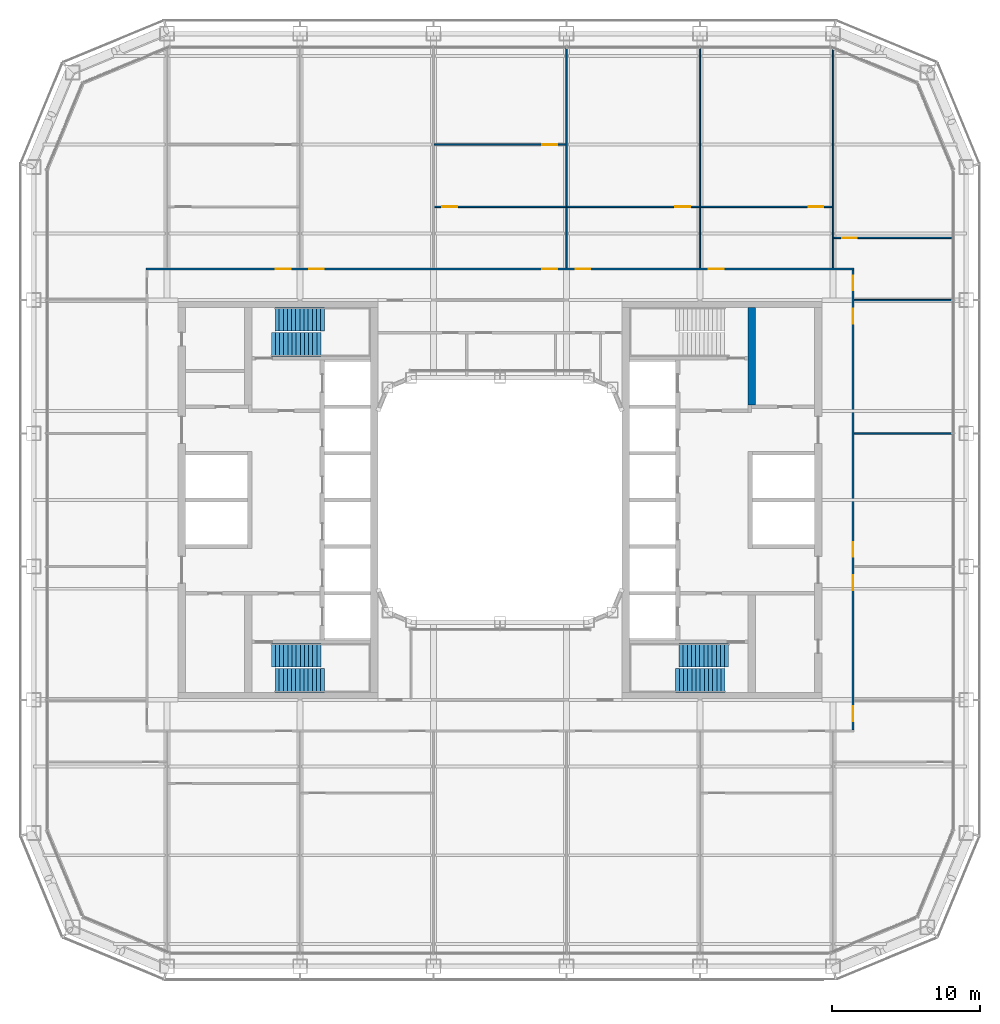
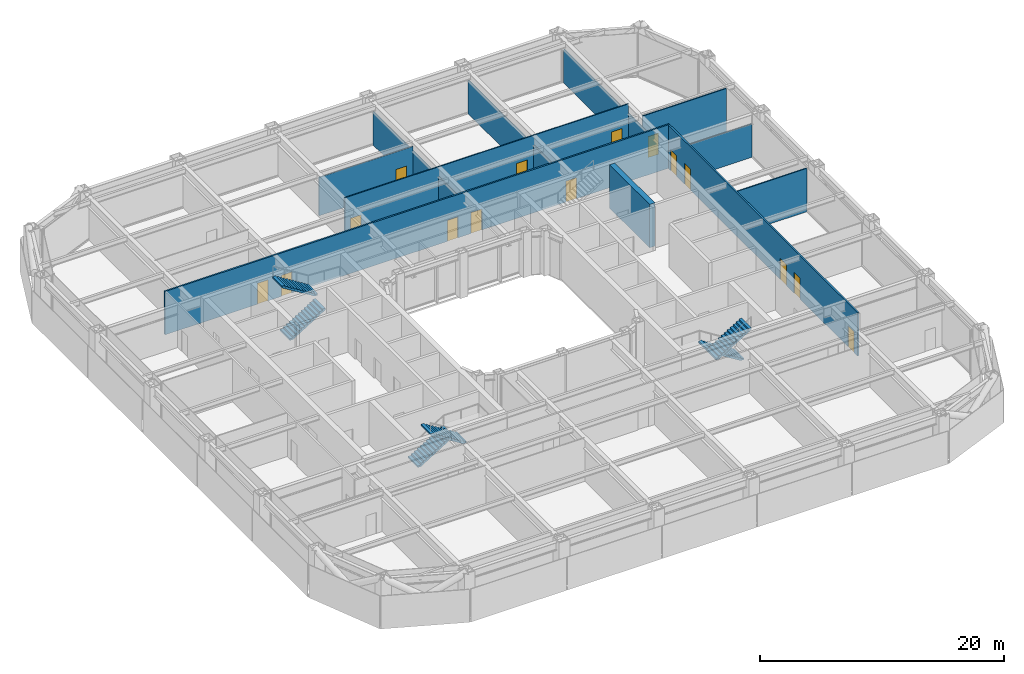
# One storey, part 15 of 25: 15 doors, 13 walls, 6 stair flights, 15 openings, 3 elements without a shape of their own.
"""IFC4 building model written with IfcOpenShell, lengths in metres."""

from ifc_helpers import new_model, si_unit, direction, frame, frame_2d, origin, place, context, subcontext, project, spatial, polyline, rectangle, outline, extrude, material, layer, layer_set, type_object, element, fill, aggregate, save


model = new_model("IFC4")

# Units and contexts
model_context = context("Model", 3, precision=1e-05, world=origin(), true_north=direction((0.0, 1.0)))
body_context = subcontext(model_context, "Body", "Model", "MODEL_VIEW")
ifc_project = project(units=[si_unit("LENGTHUNIT", "METRE"), si_unit("AREAUNIT", "SQUARE_METRE"), si_unit("VOLUMEUNIT", "CUBIC_METRE"), si_unit("PLANEANGLEUNIT", "RADIAN"), si_unit("MASSUNIT", "GRAM", prefix="KILO")], contexts=[model_context])

# Site, building, storey
site_placement = place(None, origin())
site = spatial("IfcSite", under=ifc_project, at=site_placement, CompositionType="ELEMENT")
building_placement = place(site_placement, origin())
building = spatial("IfcBuilding", under=site, at=building_placement, Name="Siwar Civic Tower", CompositionType="ELEMENT")
storey_placement = place(building_placement, frame((0.0, 0.0, 58.199951171875)))
storey = spatial("IfcBuildingStorey", under=building, at=storey_placement, Name="L12", CompositionType="ELEMENT", Elevation=58.199951171875)

# Wall
ifc_material_1 = material(Name="Concrete C60/75", Category="concrete")
ifc_layer_1 = layer(ifc_material_1, 0.5)
ifc_layer_set_1 = layer_set([ifc_layer_1], Name="Concrete C60/75")
wall_type_1 = type_object("IfcWallType", Name="CORE-WALL-RC500", PredefinedType="SHEAR", material=ifc_layer_set_1)
wall_1_placement = place(storey_placement, frame((17.0, 6.425048828125, 0.0), z_axis=(0.0, 0.0, 1.0), x_axis=(0.0, 1.0, 0.0)))
element("IfcWall", 1, at=wall_1_placement, inside=storey, type_object=wall_type_1, Name="Core wall E", PredefinedType="SHEAR", context=body_context, shape_type="SweptSolid", body=[
    extrude(rectangle(XDim=6.574951171875, YDim=0.5, at=frame_2d((3.28759765625, 0.0))), origin(), (0.0, 0.0, 1.0), 4.35009765625),
])

# Wall, openings, doors
ifc_material_2 = material(Name="Gypsum board on steel studs", Category="steel")
ifc_layer_2 = layer(ifc_material_2, 0.14990234375)
ifc_layer_set_2 = layer_set([ifc_layer_2], Name="Gypsum board on steel studs")
wall_type_2 = type_object("IfcWallType", Name="CORRIDOR PARTITION 150 EI 30", PredefinedType="PARTITIONING", material=ifc_layer_set_2)
wall_2_placement = place(storey_placement, frame((-23.925048828125, 15.60009765625, 0.0), z_axis=(0.0, 0.0, 1.0), x_axis=(1.0, 0.0, 0.0)))
wall_2 = element("IfcWall", 2, at=wall_2_placement, inside=storey, type_object=wall_type_2, Name="L12/wall/P19", PredefinedType="PARTITIONING", context=body_context, shape_type="SweptSolid", body=[
    extrude(rectangle(XDim=47.85009765625, YDim=0.14990234375, at=frame_2d((23.925048828125, 0.0))), origin(), (0.0, 0.0, 1.0), 4.35009765625),
])
opening_1_placement = place(wall_2_placement, frame((8.77490234375, 0.0, 0.0)))
opening_1 = element("IfcOpeningElement", 3, at=opening_1_placement, cuts=wall_2, Name="Opening D1", PredefinedType="OPENING", context=body_context, shape_type="SweptSolid", body=[
    extrude(rectangle(XDim=1.0, YDim=2.10009765625, at=frame_2d((0.5, 1.050048828125))), frame((0.0, 0.0849609375, 0.0), z_axis=(0.0, -1.0, 0.0), x_axis=(1.0, 0.0, 0.0)), (0.0, 0.0, 1.0), 0.169921875),
])
opening_2_placement = place(wall_2_placement, frame((11.02490234375, 0.0, 0.0)))
opening_2 = element("IfcOpeningElement", 4, at=opening_2_placement, cuts=wall_2, Name="Opening D1", PredefinedType="OPENING", context=body_context, shape_type="SweptSolid", body=[
    extrude(rectangle(XDim=1.0, YDim=2.10009765625, at=frame_2d((0.5, 1.050048828125))), frame((0.0, 0.0849609375, 0.0), z_axis=(0.0, -1.0, 0.0), x_axis=(1.0, 0.0, 0.0)), (0.0, 0.0, 1.0), 0.169921875),
])
opening_3_placement = place(wall_2_placement, frame((26.77490234375, 0.0, 0.0)))
opening_3 = element("IfcOpeningElement", 5, at=opening_3_placement, cuts=wall_2, Name="Opening D1", PredefinedType="OPENING", context=body_context, shape_type="SweptSolid", body=[
    extrude(rectangle(XDim=1.0, YDim=2.10009765625, at=frame_2d((0.5, 1.050048828125))), frame((0.0, 0.0849609375, 0.0), z_axis=(0.0, -1.0, 0.0), x_axis=(1.0, 0.0, 0.0)), (0.0, 0.0, 1.0), 0.169921875),
])
opening_4_placement = place(wall_2_placement, frame((29.02490234375, 0.0, 0.0)))
opening_4 = element("IfcOpeningElement", 6, at=opening_4_placement, cuts=wall_2, Name="Opening D1", PredefinedType="OPENING", context=body_context, shape_type="SweptSolid", body=[
    extrude(rectangle(XDim=1.0, YDim=2.10009765625, at=frame_2d((0.5, 1.050048828125))), frame((0.0, 0.0849609375, 0.0), z_axis=(0.0, -1.0, 0.0), x_axis=(1.0, 0.0, 0.0)), (0.0, 0.0, 1.0), 0.169921875),
])
opening_5_placement = place(wall_2_placement, frame((38.02490234375, 0.0, 0.0)))
opening_5 = element("IfcOpeningElement", 7, at=opening_5_placement, cuts=wall_2, Name="Opening D1", PredefinedType="OPENING", context=body_context, shape_type="SweptSolid", body=[
    extrude(rectangle(XDim=1.0, YDim=2.10009765625, at=frame_2d((0.5, 1.050048828125))), frame((0.0, 0.0849609375, 0.0), z_axis=(0.0, -1.0, 0.0), x_axis=(1.0, 0.0, 0.0)), (0.0, 0.0, 1.0), 0.169921875),
])
ifc_material_3 = material(Name="Timber, painted", Category="wood")
door_type_1 = type_object("IfcDoorType", Name="DOOR 1000 X 2100 FD30", OperationType="SINGLE_SWING_LEFT", PredefinedType="DOOR", material=ifc_material_3)
door_1_placement = place(opening_1_placement, origin())
door_1 = element("IfcDoor", 8, at=door_1_placement, inside=storey, type_object=door_type_1, Name="L12-D01", OperationType="SINGLE_SWING_LEFT", OverallHeight=2.10009765625, OverallWidth=1.0, PredefinedType="DOOR", context=body_context, shape_type="SweptSolid", body=[
    extrude(rectangle(XDim=1.0, YDim=2.10009765625, at=frame_2d((0.5, 1.050048828125))), frame((0.0, 0.02490234375, 0.0), z_axis=(0.0, -1.0, 0.0), x_axis=(1.0, 0.0, 0.0)), (0.0, 0.0, 1.0), 0.050048828125),
])
fill(opening_1, door_1)
door_2_placement = place(opening_2_placement, origin())
door_2 = element("IfcDoor", 9, at=door_2_placement, inside=storey, type_object=door_type_1, Name="L12-D04", OperationType="SINGLE_SWING_RIGHT", OverallHeight=2.10009765625, OverallWidth=1.0, PredefinedType="DOOR", context=body_context, shape_type="SweptSolid", body=[
    extrude(rectangle(XDim=1.0, YDim=2.10009765625, at=frame_2d((0.5, 1.050048828125))), frame((0.0, 0.02490234375, 0.0), z_axis=(0.0, -1.0, 0.0), x_axis=(1.0, 0.0, 0.0)), (0.0, 0.0, 1.0), 0.050048828125),
])
fill(opening_2, door_2)
door_3_placement = place(opening_3_placement, origin())
door_3 = element("IfcDoor", 10, at=door_3_placement, inside=storey, type_object=door_type_1, Name="L12-D05", OperationType="SINGLE_SWING_LEFT", OverallHeight=2.10009765625, OverallWidth=1.0, PredefinedType="DOOR", context=body_context, shape_type="SweptSolid", body=[
    extrude(rectangle(XDim=1.0, YDim=2.10009765625, at=frame_2d((0.5, 1.050048828125))), frame((0.0, 0.02490234375, 0.0), z_axis=(0.0, -1.0, 0.0), x_axis=(1.0, 0.0, 0.0)), (0.0, 0.0, 1.0), 0.050048828125),
])
fill(opening_3, door_3)
door_4_placement = place(opening_4_placement, origin())
door_4 = element("IfcDoor", 11, at=door_4_placement, inside=storey, type_object=door_type_1, Name="L12-D08", OperationType="SINGLE_SWING_RIGHT", OverallHeight=2.10009765625, OverallWidth=1.0, PredefinedType="DOOR", context=body_context, shape_type="SweptSolid", body=[
    extrude(rectangle(XDim=1.0, YDim=2.10009765625, at=frame_2d((0.5, 1.050048828125))), frame((0.0, 0.02490234375, 0.0), z_axis=(0.0, -1.0, 0.0), x_axis=(1.0, 0.0, 0.0)), (0.0, 0.0, 1.0), 0.050048828125),
])
fill(opening_4, door_4)
door_5_placement = place(opening_5_placement, origin())
door_5 = element("IfcDoor", 12, at=door_5_placement, inside=storey, type_object=door_type_1, Name="L12-D10", OperationType="SINGLE_SWING_RIGHT", OverallHeight=2.10009765625, OverallWidth=1.0, PredefinedType="DOOR", context=body_context, shape_type="SweptSolid", body=[
    extrude(rectangle(XDim=1.0, YDim=2.10009765625, at=frame_2d((0.5, 1.050048828125))), frame((0.0, 0.02490234375, 0.0), z_axis=(0.0, -1.0, 0.0), x_axis=(1.0, 0.0, 0.0)), (0.0, 0.0, 1.0), 0.050048828125),
])
fill(opening_5, door_5)

wall_3_placement = place(storey_placement, frame((23.85009765625, -15.52490234375, 0.0), z_axis=(0.0, 0.0, 1.0), x_axis=(0.0, 1.0, 0.0)))
wall_3 = element("IfcWall", 13, at=wall_3_placement, inside=storey, type_object=wall_type_2, Name="L12/wall/P44", PredefinedType="PARTITIONING", context=body_context, shape_type="SweptSolid", body=[
    extrude(rectangle(XDim=31.0498046875, YDim=0.14990234375, at=frame_2d((15.52490234375, 0.0))), origin(), (0.0, 0.0, 1.0), 4.35009765625),
])
opening_6_placement = place(wall_3_placement, frame((29.675048828125, 0.0, 0.0)))
opening_6 = element("IfcOpeningElement", 14, at=opening_6_placement, cuts=wall_3, Name="Opening D1", PredefinedType="OPENING", context=body_context, shape_type="SweptSolid", body=[
    extrude(rectangle(XDim=1.0, YDim=2.10009765625, at=frame_2d((0.5, 1.050048828125))), frame((0.0, 0.0849609375, 0.0), z_axis=(0.0, -1.0, 0.0), x_axis=(1.0, 0.0, 0.0)), (0.0, 0.0, 1.0), 0.169921875),
])
opening_7_placement = place(wall_3_placement, frame((0.574951171875, 0.0, 0.0)))
opening_7 = element("IfcOpeningElement", 15, at=opening_7_placement, cuts=wall_3, Name="Opening D1", PredefinedType="OPENING", context=body_context, shape_type="SweptSolid", body=[
    extrude(rectangle(XDim=1.0, YDim=2.10009765625, at=frame_2d((0.5, 1.050048828125))), frame((0.0, 0.0849609375, 0.0), z_axis=(0.0, -1.0, 0.0), x_axis=(1.0, 0.0, 0.0)), (0.0, 0.0, 1.0), 0.169921875),
])
opening_8_placement = place(wall_3_placement, frame((9.425048828125, 0.0, 0.0)))
opening_8 = element("IfcOpeningElement", 16, at=opening_8_placement, cuts=wall_3, Name="Opening D1", PredefinedType="OPENING", context=body_context, shape_type="SweptSolid", body=[
    extrude(rectangle(XDim=1.0, YDim=2.10009765625, at=frame_2d((0.5, 1.050048828125))), frame((0.0, 0.0849609375, 0.0), z_axis=(0.0, -1.0, 0.0), x_axis=(1.0, 0.0, 0.0)), (0.0, 0.0, 1.0), 0.169921875),
])
opening_9_placement = place(wall_3_placement, frame((11.675048828125, 0.0, 0.0)))
opening_9 = element("IfcOpeningElement", 17, at=opening_9_placement, cuts=wall_3, Name="Opening D1", PredefinedType="OPENING", context=body_context, shape_type="SweptSolid", body=[
    extrude(rectangle(XDim=1.0, YDim=2.10009765625, at=frame_2d((0.5, 1.050048828125))), frame((0.0, 0.0849609375, 0.0), z_axis=(0.0, -1.0, 0.0), x_axis=(1.0, 0.0, 0.0)), (0.0, 0.0, 1.0), 0.169921875),
])
opening_10_placement = place(wall_3_placement, frame((27.425048828125, 0.0, 0.0)))
opening_10 = element("IfcOpeningElement", 18, at=opening_10_placement, cuts=wall_3, Name="Opening D1", PredefinedType="OPENING", context=body_context, shape_type="SweptSolid", body=[
    extrude(rectangle(XDim=1.0, YDim=2.10009765625, at=frame_2d((0.5, 1.050048828125))), frame((0.0, 0.0849609375, 0.0), z_axis=(0.0, -1.0, 0.0), x_axis=(1.0, 0.0, 0.0)), (0.0, 0.0, 1.0), 0.169921875),
])
door_6_placement = place(opening_6_placement, origin())
door_6 = element("IfcDoor", 19, at=door_6_placement, inside=storey, type_object=door_type_1, Name="L12-D21", OperationType="SINGLE_SWING_LEFT", OverallHeight=2.10009765625, OverallWidth=1.0, PredefinedType="DOOR", context=body_context, shape_type="SweptSolid", body=[
    extrude(rectangle(XDim=1.0, YDim=2.10009765625, at=frame_2d((0.5, 1.050048828125))), frame((0.0, 0.02490234375, 0.0), z_axis=(0.0, -1.0, 0.0), x_axis=(1.0, 0.0, 0.0)), (0.0, 0.0, 1.0), 0.050048828125),
])
fill(opening_6, door_6)
door_7_placement = place(opening_7_placement, origin())
door_7 = element("IfcDoor", 20, at=door_7_placement, inside=storey, type_object=door_type_1, Name="L12-D25", OperationType="SINGLE_SWING_LEFT", OverallHeight=2.10009765625, OverallWidth=1.0, PredefinedType="DOOR", context=body_context, shape_type="SweptSolid", body=[
    extrude(rectangle(XDim=1.0, YDim=2.10009765625, at=frame_2d((0.5, 1.050048828125))), frame((0.0, 0.02490234375, 0.0), z_axis=(0.0, -1.0, 0.0), x_axis=(1.0, 0.0, 0.0)), (0.0, 0.0, 1.0), 0.050048828125),
])
fill(opening_7, door_7)
door_8_placement = place(opening_8_placement, origin())
door_8 = element("IfcDoor", 21, at=door_8_placement, inside=storey, type_object=door_type_1, Name="L12-D30", OperationType="SINGLE_SWING_RIGHT", OverallHeight=2.10009765625, OverallWidth=1.0, PredefinedType="DOOR", context=body_context, shape_type="SweptSolid", body=[
    extrude(rectangle(XDim=1.0, YDim=2.10009765625, at=frame_2d((0.5, 1.050048828125))), frame((0.0, 0.02490234375, 0.0), z_axis=(0.0, -1.0, 0.0), x_axis=(1.0, 0.0, 0.0)), (0.0, 0.0, 1.0), 0.050048828125),
])
fill(opening_8, door_8)
door_9_placement = place(opening_9_placement, origin())
door_9 = element("IfcDoor", 22, at=door_9_placement, inside=storey, type_object=door_type_1, Name="L12-D31", OperationType="SINGLE_SWING_LEFT", OverallHeight=2.10009765625, OverallWidth=1.0, PredefinedType="DOOR", context=body_context, shape_type="SweptSolid", body=[
    extrude(rectangle(XDim=1.0, YDim=2.10009765625, at=frame_2d((0.5, 1.050048828125))), frame((0.0, 0.02490234375, 0.0), z_axis=(0.0, -1.0, 0.0), x_axis=(1.0, 0.0, 0.0)), (0.0, 0.0, 1.0), 0.050048828125),
])
fill(opening_9, door_9)
door_10_placement = place(opening_10_placement, origin())
door_10 = element("IfcDoor", 23, at=door_10_placement, inside=storey, type_object=door_type_1, Name="L12-D32", OperationType="SINGLE_SWING_RIGHT", OverallHeight=2.10009765625, OverallWidth=1.0, PredefinedType="DOOR", context=body_context, shape_type="SweptSolid", body=[
    extrude(rectangle(XDim=1.0, YDim=2.10009765625, at=frame_2d((0.5, 1.050048828125))), frame((0.0, 0.02490234375, 0.0), z_axis=(0.0, -1.0, 0.0), x_axis=(1.0, 0.0, 0.0)), (0.0, 0.0, 1.0), 0.050048828125),
])
fill(opening_10, door_10)

# Walls
ifc_material_4 = material(Name="Gypsum board on steel studs", Category="steel")
ifc_layer_3 = layer(ifc_material_4, 0.10009765625)
ifc_layer_set_3 = layer_set([ifc_layer_3], Name="Gypsum board on steel studs")
wall_type_3 = type_object("IfcWallType", Name="PARTITION 100 GYPSUM", PredefinedType="PARTITIONING", material=ifc_layer_set_3)
wall_4_placement = place(storey_placement, frame((23.925048828125, 4.5, 0.0), z_axis=(0.0, 0.0, 1.0), x_axis=(1.0, 0.0, 0.0)))
element("IfcWall", 24, at=wall_4_placement, inside=storey, type_object=wall_type_3, Name="L12/wall/P13", PredefinedType="PARTITIONING", context=body_context, shape_type="SweptSolid", body=[
    extrude(rectangle(XDim=6.5849609375, YDim=0.10009765625, at=frame_2d((3.29248046875, 0.0))), origin(), (0.0, 0.0, 1.0), 4.35009765625),
])
wall_5_placement = place(storey_placement, frame((23.925048828125, 13.5, 0.0), z_axis=(0.0, 0.0, 1.0), x_axis=(1.0, 0.0, 0.0)))
element("IfcWall", 25, at=wall_5_placement, inside=storey, type_object=wall_type_3, Name="L12/wall/P17", PredefinedType="PARTITIONING", context=body_context, shape_type="SweptSolid", body=[
    extrude(rectangle(XDim=6.5849609375, YDim=0.10009765625, at=frame_2d((3.29248046875, 0.0))), origin(), (0.0, 0.0, 1.0), 3.35009765625),
])

# Wall, opening, door
wall_6_placement = place(storey_placement, frame((22.550048828125, 17.699951171875, 0.0), z_axis=(0.0, 0.0, 1.0), x_axis=(1.0, 0.0, 0.0)))
wall_6 = element("IfcWall", 26, at=wall_6_placement, inside=storey, type_object=wall_type_3, Name="L12/wall/P20", PredefinedType="PARTITIONING", context=body_context, shape_type="SweptSolid", body=[
    extrude(rectangle(XDim=7.9599609375, YDim=0.10009765625, at=frame_2d((3.97998046875, 0.0))), origin(), (0.0, 0.0, 1.0), 4.35009765625),
])
opening_11_placement = place(wall_6_placement, frame((0.56005859375, 0.0, 0.0)))
opening_11 = element("IfcOpeningElement", 27, at=opening_11_placement, cuts=wall_6, Name="Opening D2", PredefinedType="OPENING", context=body_context, shape_type="SweptSolid", body=[
    extrude(rectangle(XDim=1.0, YDim=2.10009765625, at=frame_2d((0.5, 1.050048828125))), frame((0.0, 0.06005859375, 0.0), z_axis=(0.0, -1.0, 0.0), x_axis=(1.0, 0.0, 0.0)), (0.0, 0.0, 1.0), 0.1201171875),
])
ifc_material_5 = material(Name="Timber, painted", Category="wood")
door_type_2 = type_object("IfcDoorType", Name="DOOR 1000 X 2100", OperationType="SINGLE_SWING_LEFT", PredefinedType="DOOR", material=ifc_material_5)
door_11_placement = place(opening_11_placement, origin())
door_11 = element("IfcDoor", 28, at=door_11_placement, inside=storey, type_object=door_type_2, Name="L12-D22", OperationType="SINGLE_SWING_RIGHT", OverallHeight=2.10009765625, OverallWidth=1.0, PredefinedType="DOOR", context=body_context, shape_type="SweptSolid", body=[
    extrude(rectangle(XDim=1.0, YDim=2.10009765625, at=frame_2d((0.5, 1.050048828125))), frame((0.0, 0.02490234375, 0.0), z_axis=(0.0, -1.0, 0.0), x_axis=(1.0, 0.0, 0.0)), (0.0, 0.0, 1.0), 0.050048828125),
])
fill(opening_11, door_11)

# Wall, openings, doors
wall_7_placement = place(storey_placement, frame((-4.449951171875, 19.800048828125, 0.0), z_axis=(0.0, 0.0, 1.0), x_axis=(1.0, 0.0, 0.0)))
wall_7 = element("IfcWall", 29, at=wall_7_placement, inside=storey, type_object=wall_type_3, Name="L12/wall/P22", PredefinedType="PARTITIONING", context=body_context, shape_type="SweptSolid", body=[
    extrude(rectangle(XDim=26.89990234375, YDim=0.10009765625, at=frame_2d((13.449951171875, 0.0))), origin(), (0.0, 0.0, 1.0), 4.35009765625),
])
opening_12_placement = place(wall_7_placement, frame((0.550048828125, 0.0, 0.0)))
opening_12 = element("IfcOpeningElement", 30, at=opening_12_placement, cuts=wall_7, Name="Opening D2", PredefinedType="OPENING", context=body_context, shape_type="SweptSolid", body=[
    extrude(rectangle(XDim=1.0, YDim=2.10009765625, at=frame_2d((0.5, 1.050048828125))), frame((0.0, 0.06005859375, 0.0), z_axis=(0.0, -1.0, 0.0), x_axis=(1.0, 0.0, 0.0)), (0.0, 0.0, 1.0), 0.1201171875),
])
opening_13_placement = place(wall_7_placement, frame((16.300048828125, 0.0, 0.0)))
opening_13 = element("IfcOpeningElement", 31, at=opening_13_placement, cuts=wall_7, Name="Opening D2", PredefinedType="OPENING", context=body_context, shape_type="SweptSolid", body=[
    extrude(rectangle(XDim=1.0, YDim=2.10009765625, at=frame_2d((0.5, 1.050048828125))), frame((0.0, 0.06005859375, 0.0), z_axis=(0.0, -1.0, 0.0), x_axis=(1.0, 0.0, 0.0)), (0.0, 0.0, 1.0), 0.1201171875),
])
opening_14_placement = place(wall_7_placement, frame((25.300048828125, 0.0, 0.0)))
opening_14 = element("IfcOpeningElement", 32, at=opening_14_placement, cuts=wall_7, Name="Opening D2", PredefinedType="OPENING", context=body_context, shape_type="SweptSolid", body=[
    extrude(rectangle(XDim=1.0, YDim=2.10009765625, at=frame_2d((0.5, 1.050048828125))), frame((0.0, 0.06005859375, 0.0), z_axis=(0.0, -1.0, 0.0), x_axis=(1.0, 0.0, 0.0)), (0.0, 0.0, 1.0), 0.1201171875),
])
door_12_placement = place(opening_12_placement, origin())
door_12 = element("IfcDoor", 33, at=door_12_placement, inside=storey, type_object=door_type_2, Name="L12-D06", OperationType="SINGLE_SWING_RIGHT", OverallHeight=2.10009765625, OverallWidth=1.0, PredefinedType="DOOR", context=body_context, shape_type="SweptSolid", body=[
    extrude(rectangle(XDim=1.0, YDim=2.10009765625, at=frame_2d((0.5, 1.050048828125))), frame((0.0, 0.02490234375, 0.0), z_axis=(0.0, -1.0, 0.0), x_axis=(1.0, 0.0, 0.0)), (0.0, 0.0, 1.0), 0.050048828125),
])
fill(opening_12, door_12)
door_13_placement = place(opening_13_placement, origin())
door_13 = element("IfcDoor", 34, at=door_13_placement, inside=storey, type_object=door_type_2, Name="L12-D09", OperationType="SINGLE_SWING_LEFT", OverallHeight=2.10009765625, OverallWidth=1.0, PredefinedType="DOOR", context=body_context, shape_type="SweptSolid", body=[
    extrude(rectangle(XDim=1.0, YDim=2.10009765625, at=frame_2d((0.5, 1.050048828125))), frame((0.0, 0.02490234375, 0.0), z_axis=(0.0, -1.0, 0.0), x_axis=(1.0, 0.0, 0.0)), (0.0, 0.0, 1.0), 0.050048828125),
])
fill(opening_13, door_13)
door_14_placement = place(opening_14_placement, origin())
door_14 = element("IfcDoor", 35, at=door_14_placement, inside=storey, type_object=door_type_2, Name="L12-D11", OperationType="SINGLE_SWING_LEFT", OverallHeight=2.10009765625, OverallWidth=1.0, PredefinedType="DOOR", context=body_context, shape_type="SweptSolid", body=[
    extrude(rectangle(XDim=1.0, YDim=2.10009765625, at=frame_2d((0.5, 1.050048828125))), frame((0.0, 0.02490234375, 0.0), z_axis=(0.0, -1.0, 0.0), x_axis=(1.0, 0.0, 0.0)), (0.0, 0.0, 1.0), 0.050048828125),
])
fill(opening_14, door_14)

# Wall, opening, door
wall_8_placement = place(storey_placement, frame((-4.449951171875, 24.0, 0.0), z_axis=(0.0, 0.0, 1.0), x_axis=(1.0, 0.0, 0.0)))
wall_8 = element("IfcWall", 36, at=wall_8_placement, inside=storey, type_object=wall_type_3, Name="L12/wall/P24", PredefinedType="PARTITIONING", context=body_context, shape_type="SweptSolid", body=[
    extrude(rectangle(XDim=8.89990234375, YDim=0.10009765625, at=frame_2d((4.449951171875, 0.0))), origin(), (0.0, 0.0, 1.0), 3.85009765625),
])
opening_15_placement = place(wall_8_placement, frame((7.300048828125, 0.0, 0.0)))
opening_15 = element("IfcOpeningElement", 37, at=opening_15_placement, cuts=wall_8, Name="Opening D2", PredefinedType="OPENING", context=body_context, shape_type="SweptSolid", body=[
    extrude(rectangle(XDim=1.0, YDim=2.10009765625, at=frame_2d((0.5, 1.050048828125))), frame((0.0, 0.06005859375, 0.0), z_axis=(0.0, -1.0, 0.0), x_axis=(1.0, 0.0, 0.0)), (0.0, 0.0, 1.0), 0.1201171875),
])
door_15_placement = place(opening_15_placement, origin())
door_15 = element("IfcDoor", 38, at=door_15_placement, inside=storey, type_object=door_type_2, Name="L12-D07", OperationType="SINGLE_SWING_LEFT", OverallHeight=2.10009765625, OverallWidth=1.0, PredefinedType="DOOR", context=body_context, shape_type="SweptSolid", body=[
    extrude(rectangle(XDim=1.0, YDim=2.10009765625, at=frame_2d((0.5, 1.050048828125))), frame((0.0, 0.02490234375, 0.0), z_axis=(0.0, -1.0, 0.0), x_axis=(1.0, 0.0, 0.0)), (0.0, 0.0, 1.0), 0.050048828125),
])
fill(opening_15, door_15)

# Walls
wall_9_placement = place(storey_placement, frame((4.5, 15.675048828125, 0.0), z_axis=(0.0, 0.0, 1.0), x_axis=(0.0, 1.0, 0.0)))
element("IfcWall", 39, at=wall_9_placement, inside=storey, type_object=wall_type_3, Name="L12/wall/P36", PredefinedType="PARTITIONING", context=body_context, shape_type="SweptSolid", body=[
    extrude(rectangle(XDim=4.074951171875, YDim=0.10009765625, at=frame_2d((2.03759765625, 0.0))), origin(), (0.0, 0.0, 1.0), 3.35009765625),
])
wall_10_placement = place(storey_placement, frame((4.5, 19.85009765625, 0.0), z_axis=(0.0, 0.0, 1.0), x_axis=(0.0, 1.0, 0.0)))
element("IfcWall", 40, at=wall_10_placement, inside=storey, type_object=wall_type_3, Name="L12/wall/P37", PredefinedType="PARTITIONING", context=body_context, shape_type="SweptSolid", body=[
    extrude(rectangle(XDim=10.659912109375, YDim=0.10009765625, at=frame_2d((5.330078125, 0.0))), origin(), (0.0, 0.0, 1.0), 3.35009765625),
])
wall_11_placement = place(storey_placement, frame((13.5, 15.675048828125, 0.0), z_axis=(0.0, 0.0, 1.0), x_axis=(0.0, 1.0, 0.0)))
element("IfcWall", 41, at=wall_11_placement, inside=storey, type_object=wall_type_3, Name="L12/wall/P40", PredefinedType="PARTITIONING", context=body_context, shape_type="SweptSolid", body=[
    extrude(rectangle(XDim=4.074951171875, YDim=0.10009765625, at=frame_2d((2.03759765625, 0.0))), origin(), (0.0, 0.0, 1.0), 3.35009765625),
])
wall_12_placement = place(storey_placement, frame((13.5, 19.85009765625, 0.0), z_axis=(0.0, 0.0, 1.0), x_axis=(0.0, 1.0, 0.0)))
element("IfcWall", 42, at=wall_12_placement, inside=storey, type_object=wall_type_3, Name="L12/wall/P41", PredefinedType="PARTITIONING", context=body_context, shape_type="SweptSolid", body=[
    extrude(rectangle(XDim=10.659912109375, YDim=0.10009765625, at=frame_2d((5.330078125, 0.0))), origin(), (0.0, 0.0, 1.0), 3.35009765625),
])
wall_13_placement = place(storey_placement, frame((22.5, 15.675048828125, 0.0), z_axis=(0.0, 0.0, 1.0), x_axis=(0.0, 1.0, 0.0)))
element("IfcWall", 43, at=wall_13_placement, inside=storey, type_object=wall_type_3, Name="L12/wall/P43", PredefinedType="PARTITIONING", context=body_context, shape_type="SweptSolid", body=[
    extrude(rectangle(XDim=14.7529296875, YDim=0.10009765625, at=frame_2d((7.37646484375, 0.0))), origin(), (0.0, 0.0, 1.0), 3.35009765625),
])

# Stair, stair flights
ifc_material_6 = material(Name="Concrete C40/50", Category="concrete")
stair_type = type_object("IfcStairType", Name="CORE-STAIR", PredefinedType="TWO_STRAIGHT_RUN_STAIR", material=ifc_material_6)
stair_1_placement = place(storey_placement, origin())
stair_1 = element("IfcStair", 44, at=stair_1_placement, inside=storey, type_object=stair_type, Name="Exit stair ST1", PredefinedType="TWO_STRAIGHT_RUN_STAIR")
ifc_material_7 = material(Name="Concrete C40/50", Category="concrete")
stair_flight_type = type_object("IfcStairFlightType", Name="CORE-STAIR-FLIGHT", PredefinedType="STRAIGHT", material=ifc_material_7)
stair_flight_1_placement = place(storey_placement, frame((-15.449951171875, 10.5, 0.0), z_axis=(0.0, 0.0, 1.0), x_axis=(1.0, 0.0, 0.0)))
stair_flight_1 = element("IfcStairFlight", 45, at=stair_flight_1_placement, type_object=stair_flight_type, Name="ST1 flight 1", NumberOfRisers=13, NumberOfTreads=12, PredefinedType="STRAIGHT", RiserHeight=0.173076923, TreadLength=0.28, context=body_context, shape_type="SweptSolid", body=[
    extrude(outline(polyline([(0.0, 0.0), (0.0, 0.173095703125), (0.280029296875, 0.173095703125), (0.280029296875, 0.34619140625), (0.56005859375, 0.34619140625), (0.56005859375, 0.519287109375), (0.840087890625, 0.519287109375), (0.840087890625, 0.6923828125), (1.1201171875, 0.6923828125), (1.1201171875, 0.865478515625), (1.39990234375, 0.865478515625), (1.39990234375, 1.03857421875), (1.679931640625, 1.03857421875), (1.679931640625, 1.21142578125), (1.9599609375, 1.21142578125), (1.9599609375, 1.384521484375), (2.239990234375, 1.384521484375), (2.239990234375, 1.5576171875), (2.52001953125, 1.5576171875), (2.52001953125, 1.730712890625), (2.800048828125, 1.730712890625), (2.800048828125, 1.90380859375), (3.080078125, 1.90380859375), (3.080078125, 2.076904296875), (3.360107421875, 2.076904296875), (3.360107421875, 2.25), (3.360107421875, 1.900634765625), (0.28515625, 0.0), (0.0, 0.0)])), frame((0.0, 0.800048828125, 0.0), z_axis=(0.0, -1.0, 0.0), x_axis=(1.0, 0.0, 0.0)), (0.0, 0.0, 1.0), 1.60009765625),
])
stair_flight_2_placement = place(storey_placement, frame((-11.840087890625, 12.199951171875, 2.25), z_axis=(0.0, 0.0, 1.0), x_axis=(-1.0, 0.0, 0.0)))
stair_flight_2 = element("IfcStairFlight", 46, at=stair_flight_2_placement, type_object=stair_flight_type, Name="ST1 flight 2", NumberOfRisers=13, NumberOfTreads=12, PredefinedType="STRAIGHT", RiserHeight=0.173076923, TreadLength=0.28, context=body_context, shape_type="SweptSolid", body=[
    extrude(outline(polyline([(0.0, 0.0), (0.0, 0.173095703125), (0.280029296875, 0.173095703125), (0.280029296875, 0.34619140625), (0.56005859375, 0.34619140625), (0.56005859375, 0.519287109375), (0.840087890625, 0.519287109375), (0.840087890625, 0.6923828125), (1.1201171875, 0.6923828125), (1.1201171875, 0.865478515625), (1.39990234375, 0.865478515625), (1.39990234375, 1.03857421875), (1.679931640625, 1.03857421875), (1.679931640625, 1.21142578125), (1.9599609375, 1.21142578125), (1.9599609375, 1.384521484375), (2.239990234375, 1.384521484375), (2.239990234375, 1.5576171875), (2.52001953125, 1.5576171875), (2.52001953125, 1.730712890625), (2.800048828125, 1.730712890625), (2.800048828125, 1.90380859375), (3.080078125, 1.90380859375), (3.080078125, 2.076904296875), (3.360107421875, 2.076904296875), (3.360107421875, 2.25), (3.360107421875, 1.900634765625), (0.28515625, 0.0), (0.0, 0.0)])), frame((0.0, 0.800048828125, 0.0), z_axis=(0.0, -1.0, 0.0), x_axis=(1.0, 0.0, 0.0)), (0.0, 0.0, 1.0), 1.60009765625),
])
aggregate(stair_1, [stair_flight_1, stair_flight_2])

stair_2_placement = place(storey_placement, origin())
stair_2 = element("IfcStair", 47, at=stair_2_placement, inside=storey, type_object=stair_type, Name="Exit stair ST2", PredefinedType="TWO_STRAIGHT_RUN_STAIR")
stair_flight_3_placement = place(storey_placement, frame((-15.449951171875, -10.5, 0.0), z_axis=(0.0, 0.0, 1.0), x_axis=(1.0, 0.0, 0.0)))
stair_flight_3 = element("IfcStairFlight", 48, at=stair_flight_3_placement, type_object=stair_flight_type, Name="ST2 flight 1", NumberOfRisers=13, NumberOfTreads=12, PredefinedType="STRAIGHT", RiserHeight=0.173076923, TreadLength=0.28, context=body_context, shape_type="SweptSolid", body=[
    extrude(outline(polyline([(0.0, 0.0), (0.0, 0.173095703125), (0.280029296875, 0.173095703125), (0.280029296875, 0.34619140625), (0.56005859375, 0.34619140625), (0.56005859375, 0.519287109375), (0.840087890625, 0.519287109375), (0.840087890625, 0.6923828125), (1.1201171875, 0.6923828125), (1.1201171875, 0.865478515625), (1.39990234375, 0.865478515625), (1.39990234375, 1.03857421875), (1.679931640625, 1.03857421875), (1.679931640625, 1.21142578125), (1.9599609375, 1.21142578125), (1.9599609375, 1.384521484375), (2.239990234375, 1.384521484375), (2.239990234375, 1.5576171875), (2.52001953125, 1.5576171875), (2.52001953125, 1.730712890625), (2.800048828125, 1.730712890625), (2.800048828125, 1.90380859375), (3.080078125, 1.90380859375), (3.080078125, 2.076904296875), (3.360107421875, 2.076904296875), (3.360107421875, 2.25), (3.360107421875, 1.900634765625), (0.28515625, 0.0), (0.0, 0.0)])), frame((0.0, 0.800048828125, 0.0), z_axis=(0.0, -1.0, 0.0), x_axis=(1.0, 0.0, 0.0)), (0.0, 0.0, 1.0), 1.60009765625),
])
stair_flight_4_placement = place(storey_placement, frame((-11.840087890625, -12.199951171875, 2.25), z_axis=(0.0, 0.0, 1.0), x_axis=(-1.0, 0.0, 0.0)))
stair_flight_4 = element("IfcStairFlight", 49, at=stair_flight_4_placement, type_object=stair_flight_type, Name="ST2 flight 2", NumberOfRisers=13, NumberOfTreads=12, PredefinedType="STRAIGHT", RiserHeight=0.173076923, TreadLength=0.28, context=body_context, shape_type="SweptSolid", body=[
    extrude(outline(polyline([(0.0, 0.0), (0.0, 0.173095703125), (0.280029296875, 0.173095703125), (0.280029296875, 0.34619140625), (0.56005859375, 0.34619140625), (0.56005859375, 0.519287109375), (0.840087890625, 0.519287109375), (0.840087890625, 0.6923828125), (1.1201171875, 0.6923828125), (1.1201171875, 0.865478515625), (1.39990234375, 0.865478515625), (1.39990234375, 1.03857421875), (1.679931640625, 1.03857421875), (1.679931640625, 1.21142578125), (1.9599609375, 1.21142578125), (1.9599609375, 1.384521484375), (2.239990234375, 1.384521484375), (2.239990234375, 1.5576171875), (2.52001953125, 1.5576171875), (2.52001953125, 1.730712890625), (2.800048828125, 1.730712890625), (2.800048828125, 1.90380859375), (3.080078125, 1.90380859375), (3.080078125, 2.076904296875), (3.360107421875, 2.076904296875), (3.360107421875, 2.25), (3.360107421875, 1.900634765625), (0.28515625, 0.0), (0.0, 0.0)])), frame((0.0, 0.800048828125, 0.0), z_axis=(0.0, -1.0, 0.0), x_axis=(1.0, 0.0, 0.0)), (0.0, 0.0, 1.0), 1.60009765625),
])
aggregate(stair_2, [stair_flight_3, stair_flight_4])

stair_3_placement = place(storey_placement, origin())
stair_3 = element("IfcStair", 50, at=stair_3_placement, inside=storey, type_object=stair_type, Name="Exit stair ST4", PredefinedType="TWO_STRAIGHT_RUN_STAIR")
stair_flight_5_placement = place(storey_placement, frame((15.449951171875, -10.5, 0.0), z_axis=(0.0, 0.0, 1.0), x_axis=(-1.0, 0.0, 0.0)))
stair_flight_5 = element("IfcStairFlight", 51, at=stair_flight_5_placement, type_object=stair_flight_type, Name="ST4 flight 1", NumberOfRisers=13, NumberOfTreads=12, PredefinedType="STRAIGHT", RiserHeight=0.173076923, TreadLength=0.28, context=body_context, shape_type="SweptSolid", body=[
    extrude(outline(polyline([(0.0, 0.0), (0.0, 0.173095703125), (0.280029296875, 0.173095703125), (0.280029296875, 0.34619140625), (0.56005859375, 0.34619140625), (0.56005859375, 0.519287109375), (0.840087890625, 0.519287109375), (0.840087890625, 0.6923828125), (1.1201171875, 0.6923828125), (1.1201171875, 0.865478515625), (1.39990234375, 0.865478515625), (1.39990234375, 1.03857421875), (1.679931640625, 1.03857421875), (1.679931640625, 1.21142578125), (1.9599609375, 1.21142578125), (1.9599609375, 1.384521484375), (2.239990234375, 1.384521484375), (2.239990234375, 1.5576171875), (2.52001953125, 1.5576171875), (2.52001953125, 1.730712890625), (2.800048828125, 1.730712890625), (2.800048828125, 1.90380859375), (3.080078125, 1.90380859375), (3.080078125, 2.076904296875), (3.360107421875, 2.076904296875), (3.360107421875, 2.25), (3.360107421875, 1.900634765625), (0.28515625, 0.0), (0.0, 0.0)])), frame((0.0, 0.800048828125, 0.0), z_axis=(0.0, -1.0, 0.0), x_axis=(1.0, 0.0, 0.0)), (0.0, 0.0, 1.0), 1.60009765625),
])
stair_flight_6_placement = place(storey_placement, frame((11.840087890625, -12.199951171875, 2.25), z_axis=(0.0, 0.0, 1.0), x_axis=(1.0, 0.0, 0.0)))
stair_flight_6 = element("IfcStairFlight", 52, at=stair_flight_6_placement, type_object=stair_flight_type, Name="ST4 flight 2", NumberOfRisers=13, NumberOfTreads=12, PredefinedType="STRAIGHT", RiserHeight=0.173076923, TreadLength=0.28, context=body_context, shape_type="SweptSolid", body=[
    extrude(outline(polyline([(0.0, 0.0), (0.0, 0.173095703125), (0.280029296875, 0.173095703125), (0.280029296875, 0.34619140625), (0.56005859375, 0.34619140625), (0.56005859375, 0.519287109375), (0.840087890625, 0.519287109375), (0.840087890625, 0.6923828125), (1.1201171875, 0.6923828125), (1.1201171875, 0.865478515625), (1.39990234375, 0.865478515625), (1.39990234375, 1.03857421875), (1.679931640625, 1.03857421875), (1.679931640625, 1.21142578125), (1.9599609375, 1.21142578125), (1.9599609375, 1.384521484375), (2.239990234375, 1.384521484375), (2.239990234375, 1.5576171875), (2.52001953125, 1.5576171875), (2.52001953125, 1.730712890625), (2.800048828125, 1.730712890625), (2.800048828125, 1.90380859375), (3.080078125, 1.90380859375), (3.080078125, 2.076904296875), (3.360107421875, 2.076904296875), (3.360107421875, 2.25), (3.360107421875, 1.900634765625), (0.28515625, 0.0), (0.0, 0.0)])), frame((0.0, 0.800048828125, 0.0), z_axis=(0.0, -1.0, 0.0), x_axis=(1.0, 0.0, 0.0)), (0.0, 0.0, 1.0), 1.60009765625),
])
aggregate(stair_3, [stair_flight_5, stair_flight_6])

save(model, "model.ifc")
